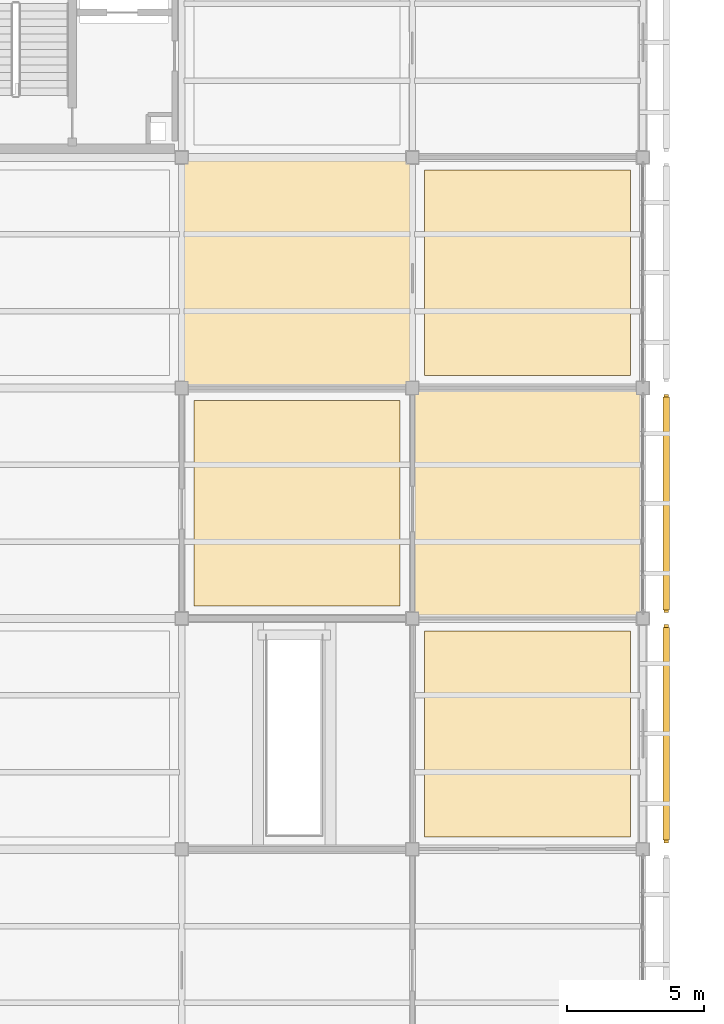
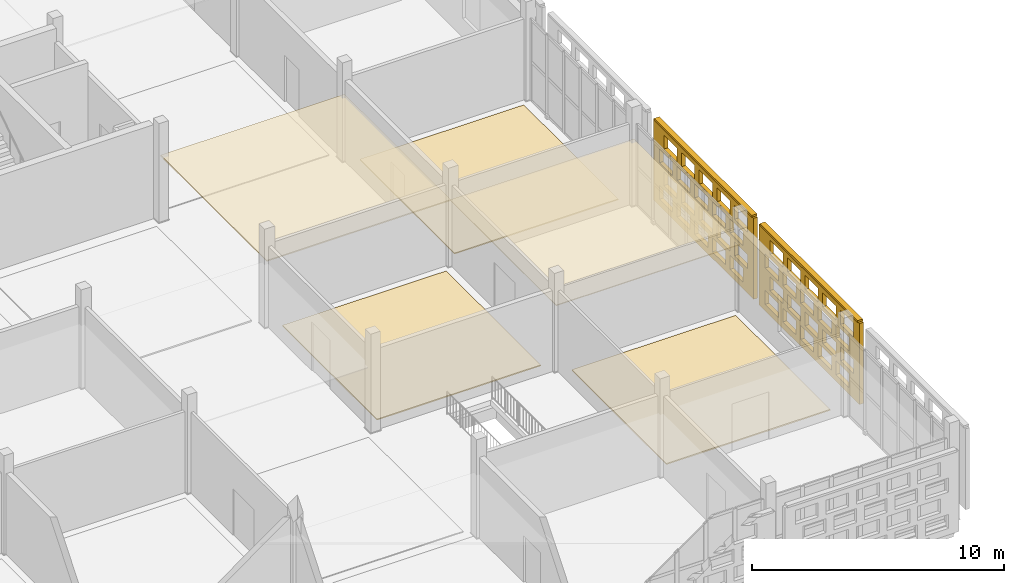
# One storey, part 198 of 203: 7 coverings, 2 shading devices, 40 openings.
"""IFC4 building model written with IfcOpenShell, lengths in metres."""

import ifcopenshell
import ifcopenshell.guid

model = None  # the IFC model being written
_history = None  # IfcOwnerHistory: only IFC2X3 demands one
_inside = {}  # id of a spatial element -> (the spatial element, [elements in it])
_under = {}  # id of a project, library or spatial element -> (it, [spatial elements below it])
_declared = {}  # id of a project -> (the project, [libraries it declares])
_typed = {}  # id of a type object -> (the type object, [elements of that type])
_made_of = {}  # id of a material, layer set ... -> (it, [elements and type objects made of it])


def new_model(schema):
    """Start an empty IFC model of exactly this schema.

    Asked for "IFC4X3", IfcOpenShell would pick the latest addendum, in which some entities
    have other attributes; the version numbers below select the first issue.
    IFC2X3 requires an IfcOwnerHistory on every rooted entity: one is made here for all.
    """
    global model, _history
    if schema == "IFC4X3":
        model = ifcopenshell.file(schema_version=(4, 3, 0, 0))
    else:
        model = ifcopenshell.file(schema=schema)
    _inside.clear()
    _under.clear()
    _declared.clear()
    _typed.clear()
    _made_of.clear()
    _history = None
    if model.schema == "IFC2X3":
        org = make("IfcOrganization", Name="unknown")
        user = make(
            "IfcPersonAndOrganization",
            ThePerson=make("IfcPerson", FamilyName="unknown"),
            TheOrganization=org,
        )
        app = make(
            "IfcApplication",
            ApplicationDeveloper=org,
            Version="unknown",
            ApplicationFullName="unknown",
            ApplicationIdentifier="unknown",
        )
        _history = make(
            "IfcOwnerHistory",
            OwningUser=user,
            OwningApplication=app,
            ChangeAction="ADDED",
            CreationDate=0,
        )
    return model


def make(cls, **values):
    """One entity of the class cls with the attributes given. An attribute that is None is left unset."""
    return model.create_entity(
        cls, **{name: value for name, value in values.items() if value is not None}
    )


def rooted(cls, **values):
    """An entity with a GlobalId (a new one), such as an element, a storey or a relation."""
    return make(cls, GlobalId=ifcopenshell.guid.new(), OwnerHistory=_history, **values)


def si_unit(unit_type, name, prefix=None):
    """IfcSIUnit, for example si_unit("LENGTHUNIT", "METRE", prefix="MILLI")."""
    return make("IfcSIUnit", UnitType=unit_type, Prefix=prefix, Name=name)


def assignment(units):
    """IfcUnitAssignment: the units of a project."""
    return None if units is None else make("IfcUnitAssignment", Units=units)


def point(xyz):
    """IfcCartesianPoint."""
    return None if xyz is None else make("IfcCartesianPoint", Coordinates=xyz)


def direction(xyz):
    """IfcDirection."""
    return None if xyz is None else make("IfcDirection", DirectionRatios=xyz)


def frame(location, z_axis=None, x_axis=None):
    """IfcAxis2Placement3D, a coordinate frame: its origin and axes. An axis left out is left unset."""
    return make(
        "IfcAxis2Placement3D",
        Location=point(location),
        Axis=direction(z_axis),
        RefDirection=direction(x_axis),
    )


def frame_2d(location, x_axis=None):
    """IfcAxis2Placement2D, a coordinate frame in the plane: its origin and x axis."""
    return make(
        "IfcAxis2Placement2D", Location=point(location), RefDirection=direction(x_axis)
    )


def origin():
    """The frame at (0, 0, 0) with its axes left unset."""
    return frame((0.0, 0.0, 0.0))


def origin_2d():
    """The frame at (0, 0) in the plane with its x axis left unset."""
    return frame_2d((0.0, 0.0))


def place(relative_to, where):
    """IfcLocalPlacement: puts the frame where relative to a parent placement (None: the world)."""
    return make(
        "IfcLocalPlacement", PlacementRelTo=relative_to, RelativePlacement=where
    )


def context(
    kind, dimensions, precision=None, world=None, true_north=None, identifier=None
):
    """IfcGeometricRepresentationContext, for example the 3D "Model" context."""
    return make(
        "IfcGeometricRepresentationContext",
        ContextIdentifier=identifier,
        ContextType=kind,
        CoordinateSpaceDimension=dimensions,
        Precision=precision,
        WorldCoordinateSystem=world,
        TrueNorth=true_north,
    )


def subcontext(parent, identifier, kind, view, scale=None):
    """IfcGeometricRepresentationSubContext, for example "Body" below "Model"."""
    return make(
        "IfcGeometricRepresentationSubContext",
        ContextIdentifier=identifier,
        ContextType=kind,
        ParentContext=parent,
        TargetScale=scale,
        TargetView=view,
    )


def project(units=None, contexts=None):
    """IfcProject with its units and contexts."""
    return rooted(
        "IfcProject",
        Name="project",
        RepresentationContexts=contexts,
        UnitsInContext=assignment(units),
    )


def spatial(cls, under=None, at=None, **own):
    """A site, building, storey or space (cls), placed at a placement, below another one or the project."""
    s = rooted(cls, ObjectPlacement=at, **own)
    if under is not None:
        _under.setdefault(under.id(), (under, []))[1].append(s)
    return s


def profile(cls, at=None, kind="AREA", **sizes):
    """A parametric profile (cls). Its sizes go by their IFC names, for example OverallWidth=200.0."""
    return make(cls, ProfileType=kind, Position=at, **sizes)


def rectangle(**sizes):
    """IfcRectangleProfileDef."""
    return profile("IfcRectangleProfileDef", **sizes)


def extrude(swept, where, along, depth):
    """IfcExtrudedAreaSolid: the profile swept, set in the frame where, extruded along a direction by depth."""
    return make(
        "IfcExtrudedAreaSolid",
        SweptArea=swept,
        Position=where,
        ExtrudedDirection=direction(along),
        Depth=depth,
    )


def shape(context_of_items, identifier, shape_type, items):
    """IfcShapeRepresentation: the items that make up one representation, for example the "Body"."""
    return make(
        "IfcShapeRepresentation",
        ContextOfItems=context_of_items,
        RepresentationIdentifier=identifier,
        RepresentationType=shape_type,
        Items=items,
    )


def material(Name=None, Category=None):
    """IfcMaterial."""
    return make("IfcMaterial", Name=Name, Category=Category)


def layer(
    of_material, thickness, ventilated=None, Name=None, Category=None, Priority=None
):
    """IfcMaterialLayer: one layer of a wall or slab, of a material (None: an air gap)."""
    return make(
        "IfcMaterialLayer",
        Material=of_material,
        LayerThickness=thickness,
        IsVentilated=ventilated,
        Name=Name,
        Category=Category,
        Priority=Priority,
    )


def layer_set(layers, Name=None):
    """IfcMaterialLayerSet."""
    return make("IfcMaterialLayerSet", MaterialLayers=layers, LayerSetName=Name)


def made_of(thing, what):
    """Note that an element or type object is made of a material, layer set ...; save() writes the relation."""
    if what is not None:
        _made_of.setdefault(what.id(), (what, []))[1].append(thing)
    return thing


def type_object(cls, material=None, **own):
    """A type object (cls), such as IfcWallType, which elements share."""
    return made_of(rooted(cls, **own), material)


def element(
    cls,
    number,
    at=None,
    inside=None,
    cuts=None,
    type_object=None,
    material=None,
    context=None,
    identifier="Body",
    shape_type=None,
    held_by="IfcProductDefinitionShape",
    body=None,
    shapes=None,
    **own,
):
    """One element of the class cls, such as IfcWall. Its Tag is "e" and its number.

    at: its placement. inside: the storey or other place that contains it. cuts: it is an
    opening in that element (IfcRelVoidsElement). A single representation is given by context,
    identifier, shape_type and body (its items); several are given by shapes. held_by: the class
    of the entity that holds the representations. save() writes the other relations.
    """
    e = rooted(cls, Tag="e%d" % number, ObjectPlacement=at, **own)
    if body is not None:
        shapes = [shape(context, identifier, shape_type, body)]
    if shapes is not None:
        e.Representation = make(held_by, Representations=shapes)
    if inside is not None:
        _inside.setdefault(inside.id(), (inside, []))[1].append(e)
    if cuts is not None:
        rooted(
            "IfcRelVoidsElement", RelatingBuildingElement=cuts, RelatedOpeningElement=e
        )
    if type_object is not None:
        _typed.setdefault(type_object.id(), (type_object, []))[1].append(e)
    return made_of(e, material)


def aggregate(whole, parts):
    """IfcRelAggregates: a whole, such as a stair, and the parts it consists of."""
    return rooted("IfcRelAggregates", RelatingObject=whole, RelatedObjects=parts)


def save(model, path):
    """Write the relations noted so far, then the file.

    IfcRelAggregates (storeys below a building ...), IfcRelContainedInSpatialStructure (elements
    in a storey), IfcRelDefinesByType, IfcRelAssociatesMaterial and IfcRelDeclares: one each for
    every whole, place, type object, material and project.
    """
    for whole, parts in _under.values():
        aggregate(whole, parts)
    for where, things in _inside.values():
        rooted(
            "IfcRelContainedInSpatialStructure",
            RelatedElements=things,
            RelatingStructure=where,
        )
    for kind, things in _typed.values():
        rooted("IfcRelDefinesByType", RelatedObjects=things, RelatingType=kind)
    for what, things in _made_of.values():
        rooted("IfcRelAssociatesMaterial", RelatedObjects=things, RelatingMaterial=what)
    for by, libraries in _declared.values():
        rooted("IfcRelDeclares", RelatingContext=by, RelatedDefinitions=libraries)
    model.write(path)


model = new_model("IFC4")

# Units and contexts
model_context = context("Model", 3, precision=1e-05, world=origin(), true_north=direction((0.0, 1.0)))
body_context = subcontext(model_context, "Body", "Model", "MODEL_VIEW")
ifc_project = project(units=[si_unit("LENGTHUNIT", "METRE"), si_unit("AREAUNIT", "SQUARE_METRE"), si_unit("VOLUMEUNIT", "CUBIC_METRE"), si_unit("PLANEANGLEUNIT", "RADIAN"), si_unit("MASSUNIT", "GRAM", prefix="KILO")], contexts=[model_context])

# Site, building, storey
site_placement = place(None, origin())
site = spatial("IfcSite", under=ifc_project, at=site_placement, CompositionType="ELEMENT")
building_placement = place(site_placement, origin())
building = spatial("IfcBuilding", under=site, at=building_placement, Name="Varnapada Polytechnic", CompositionType="ELEMENT")
storey_placement = place(building_placement, frame((0.0, 0.0, 4.800048828125)))
storey = spatial("IfcBuildingStorey", under=building, at=storey_placement, Name="L01", CompositionType="ELEMENT", Elevation=4.800048828125)

# Coverings
ifc_material_1 = material(Name="Anti-Static Raised Laboratory Flooring")
ifc_layer_1 = layer(ifc_material_1, 0.06005859375)
ifc_layer_set_1 = layer_set([ifc_layer_1], Name="Anti-Static Raised Laboratory Flooring")
covering_type_1 = type_object("IfcCoveringType", Name="Floor Finish FLR-02", PredefinedType="FLOORING", material=ifc_layer_set_1)
covering_1_placement = place(storey_placement, frame((172.199951171875, 71.39990234375, 0.0), z_axis=(0.0, 0.0, 1.0), x_axis=(1.0, 0.0, 0.0)))
element("IfcCovering", 1, at=covering_1_placement, inside=storey, type_object=covering_type_1, Name="L01 floor finish panel (21,9)", PredefinedType="FLOORING", context=body_context, shape_type="SweptSolid", body=[
    extrude(rectangle(XDim=7.5, YDim=7.5, at=origin_2d()), origin(), (0.0, 0.0, 1.0), 0.06005859375),
])
ifc_material_2 = material(Name="End-Grain Timber Studio Block Flooring", Category="wood")
ifc_layer_2 = layer(ifc_material_2, 0.054931640625)
ifc_layer_set_2 = layer_set([ifc_layer_2], Name="End-Grain Timber Studio Block Flooring")
covering_type_2 = type_object("IfcCoveringType", Name="Floor Finish FLR-04", PredefinedType="FLOORING", material=ifc_layer_set_2)
for number, where, z_axis, x_axis, name in (
    (2, (163.800048828125, 79.800048828125, 0.0), (0.0, 0.0, 1.0), (1.0, 0.0, 0.0), "L01 floor finish panel (20,10)"),
    (3, (172.199951171875, 88.199951171875, 0.0), (0.0, 0.0, 1.0), (1.0, 0.0, 0.0), "L01 floor finish panel (21,11)"),
):
    element("IfcCovering", number, at=place(storey_placement, frame(where, z_axis=z_axis, x_axis=x_axis)), inside=storey, type_object=covering_type_2, Name=name, PredefinedType="FLOORING", context=body_context, shape_type="SweptSolid", body=[
        extrude(rectangle(XDim=7.5, YDim=7.5, at=origin_2d()), origin(), (0.0, 0.0, 1.0), 0.054931640625),
    ])
ifc_material_3 = material(Name="Mineral Fibre Acoustic Ceiling Tile")
ifc_layer_3 = layer(ifc_material_3, 0.0400390625)
ifc_layer_set_3 = layer_set([ifc_layer_3], Name="Mineral Fibre Acoustic Ceiling Tile")
covering_type_3 = type_object("IfcCoveringType", Name="Suspended Ceiling CLG-01", PredefinedType="CEILING", material=ifc_layer_set_3)
covering_2_placement = place(storey_placement, frame((172.199951171875, 79.800048828125, 3.030029296875), z_axis=(0.0, 0.0, 1.0), x_axis=(1.0, 0.0, 0.0)))
element("IfcCovering", 4, at=covering_2_placement, inside=storey, type_object=covering_type_3, Name="L01 suspended acoustic ceiling (21,10)", PredefinedType="CEILING", context=body_context, shape_type="SweptSolid", body=[
    extrude(rectangle(XDim=8.419921875, YDim=8.419921875, at=origin_2d()), origin(), (0.0, 0.0, 1.0), 0.0400390625),
])
ifc_material_4 = material(Name="Slatted Merbau Timber Acoustic Ceiling", Category="wood")
ifc_layer_4 = layer(ifc_material_4, 0.054931640625)
ifc_layer_set_4 = layer_set([ifc_layer_4], Name="Slatted Merbau Timber Acoustic Ceiling")
covering_type_4 = type_object("IfcCoveringType", Name="Suspended Ceiling CLG-05", PredefinedType="CEILING", material=ifc_layer_set_4)
covering_3_placement = place(storey_placement, frame((163.800048828125, 88.199951171875, 3.0224609375), z_axis=(0.0, 0.0, 1.0), x_axis=(1.0, 0.0, 0.0)))
element("IfcCovering", 5, at=covering_3_placement, inside=storey, type_object=covering_type_4, Name="L01 suspended acoustic ceiling (20,11)", PredefinedType="CEILING", context=body_context, shape_type="SweptSolid", body=[
    extrude(rectangle(XDim=8.419921875, YDim=8.419921875, at=origin_2d()), origin(), (0.0, 0.0, 1.0), 0.054931640625),
])

# Covering, openings
ifc_material_5 = material(Name="Earth-toned architectural terracotta screen block", Category="masonry")
ifc_layer_5 = layer(ifc_material_5, 0.1201171875)
ifc_layer_set_5 = layer_set([ifc_layer_5], Name="Earth-toned architectural terracotta screen block")
covering_type_5 = type_object("IfcCoveringType", Name="Terracotta Screen Cladding CLD-01", PredefinedType="CLADDING", material=ifc_layer_set_5)
covering_4_placement = place(storey_placement, frame((177.25, 75.3798828125, 0.0), z_axis=(0.0, 0.0, 1.0), x_axis=(0.0, -1.0, 0.0)))
covering_4 = element("IfcCovering", 6, at=covering_4_placement, inside=storey, type_object=covering_type_5, Name="L01 perforated terracotta block screen (146)", PredefinedType="CLADDING", context=body_context, shape_type="SweptSolid", body=[
    extrude(rectangle(XDim=7.949951171875, YDim=0.179931640625, at=frame_2d((3.97509765625, 0.0))), origin(), (0.0, 0.0, 1.0), 3.919921875),
])
opening_1_placement = place(covering_4_placement, frame((0.47509765625, 0.0, 0.313720703125)))
element("IfcOpeningElement", 7, at=opening_1_placement, cuts=covering_4, Name="Screen perforation TBS-L01-145.1", PredefinedType="OPENING", context=body_context, shape_type="SweptSolid", body=[
    extrude(rectangle(XDim=1.0400390625, YDim=0.679931640625, at=frame_2d((0.52001953125, 0.33984375))), frame((0.0, 0.099853515625, 0.0), z_axis=(0.0, -1.0, 0.0), x_axis=(1.0, 0.0, 0.0)), (0.0, 0.0, 1.0), 0.199951171875),
])
opening_2_placement = place(covering_4_placement, frame((1.875, 0.0, 0.313720703125)))
element("IfcOpeningElement", 8, at=opening_2_placement, cuts=covering_4, Name="Screen perforation TBS-L01-145.2", PredefinedType="OPENING", context=body_context, shape_type="SweptSolid", body=[
    extrude(rectangle(XDim=1.0400390625, YDim=0.679931640625, at=frame_2d((0.52001953125, 0.33984375))), frame((0.0, 0.099853515625, 0.0), z_axis=(0.0, -1.0, 0.0), x_axis=(1.0, 0.0, 0.0)), (0.0, 0.0, 1.0), 0.199951171875),
])
opening_3_placement = place(covering_4_placement, frame((3.27490234375, 0.0, 0.313720703125)))
element("IfcOpeningElement", 9, at=opening_3_placement, cuts=covering_4, Name="Screen perforation TBS-L01-145.3", PredefinedType="OPENING", context=body_context, shape_type="SweptSolid", body=[
    extrude(rectangle(XDim=1.0400390625, YDim=0.679931640625, at=frame_2d((0.52001953125, 0.33984375))), frame((0.0, 0.099853515625, 0.0), z_axis=(0.0, -1.0, 0.0), x_axis=(1.0, 0.0, 0.0)), (0.0, 0.0, 1.0), 0.199951171875),
])
opening_4_placement = place(covering_4_placement, frame((4.675048828125, 0.0, 0.313720703125)))
element("IfcOpeningElement", 10, at=opening_4_placement, cuts=covering_4, Name="Screen perforation TBS-L01-145.4", PredefinedType="OPENING", context=body_context, shape_type="SweptSolid", body=[
    extrude(rectangle(XDim=1.0400390625, YDim=0.679931640625, at=frame_2d((0.52001953125, 0.33984375))), frame((0.0, 0.099853515625, 0.0), z_axis=(0.0, -1.0, 0.0), x_axis=(1.0, 0.0, 0.0)), (0.0, 0.0, 1.0), 0.199951171875),
])
opening_5_placement = place(covering_4_placement, frame((6.074951171875, 0.0, 0.313720703125)))
element("IfcOpeningElement", 11, at=opening_5_placement, cuts=covering_4, Name="Screen perforation TBS-L01-145.5", PredefinedType="OPENING", context=body_context, shape_type="SweptSolid", body=[
    extrude(rectangle(XDim=1.0400390625, YDim=0.679931640625, at=frame_2d((0.52001953125, 0.33984375))), frame((0.0, 0.099853515625, 0.0), z_axis=(0.0, -1.0, 0.0), x_axis=(1.0, 0.0, 0.0)), (0.0, 0.0, 1.0), 0.199951171875),
])
opening_6_placement = place(covering_4_placement, frame((0.8349609375, 0.0, 1.195556640625)))
element("IfcOpeningElement", 12, at=opening_6_placement, cuts=covering_4, Name="Screen perforation TBS-L01-145.6", PredefinedType="OPENING", context=body_context, shape_type="SweptSolid", body=[
    extrude(rectangle(XDim=1.0400390625, YDim=0.679931640625, at=frame_2d((0.52001953125, 0.33984375))), frame((0.0, 0.099853515625, 0.0), z_axis=(0.0, -1.0, 0.0), x_axis=(1.0, 0.0, 0.0)), (0.0, 0.0, 1.0), 0.199951171875),
])
opening_7_placement = place(covering_4_placement, frame((2.235107421875, 0.0, 1.195556640625)))
element("IfcOpeningElement", 13, at=opening_7_placement, cuts=covering_4, Name="Screen perforation TBS-L01-145.7", PredefinedType="OPENING", context=body_context, shape_type="SweptSolid", body=[
    extrude(rectangle(XDim=1.0400390625, YDim=0.679931640625, at=frame_2d((0.52001953125, 0.33984375))), frame((0.0, 0.099853515625, 0.0), z_axis=(0.0, -1.0, 0.0), x_axis=(1.0, 0.0, 0.0)), (0.0, 0.0, 1.0), 0.199951171875),
])
opening_8_placement = place(covering_4_placement, frame((3.635009765625, 0.0, 1.195556640625)))
element("IfcOpeningElement", 14, at=opening_8_placement, cuts=covering_4, Name="Screen perforation TBS-L01-145.8", PredefinedType="OPENING", context=body_context, shape_type="SweptSolid", body=[
    extrude(rectangle(XDim=1.0400390625, YDim=0.679931640625, at=frame_2d((0.52001953125, 0.33984375))), frame((0.0, 0.099853515625, 0.0), z_axis=(0.0, -1.0, 0.0), x_axis=(1.0, 0.0, 0.0)), (0.0, 0.0, 1.0), 0.199951171875),
])
opening_9_placement = place(covering_4_placement, frame((5.034912109375, 0.0, 1.195556640625)))
element("IfcOpeningElement", 15, at=opening_9_placement, cuts=covering_4, Name="Screen perforation TBS-L01-145.9", PredefinedType="OPENING", context=body_context, shape_type="SweptSolid", body=[
    extrude(rectangle(XDim=1.0400390625, YDim=0.679931640625, at=frame_2d((0.52001953125, 0.33984375))), frame((0.0, 0.099853515625, 0.0), z_axis=(0.0, -1.0, 0.0), x_axis=(1.0, 0.0, 0.0)), (0.0, 0.0, 1.0), 0.199951171875),
])
opening_10_placement = place(covering_4_placement, frame((6.43505859375, 0.0, 1.195556640625)))
element("IfcOpeningElement", 16, at=opening_10_placement, cuts=covering_4, Name="Screen perforation TBS-L01-145.10", PredefinedType="OPENING", context=body_context, shape_type="SweptSolid", body=[
    extrude(rectangle(XDim=1.0400390625, YDim=0.679931640625, at=frame_2d((0.52001953125, 0.33984375))), frame((0.0, 0.099853515625, 0.0), z_axis=(0.0, -1.0, 0.0), x_axis=(1.0, 0.0, 0.0)), (0.0, 0.0, 1.0), 0.199951171875),
])
opening_11_placement = place(covering_4_placement, frame((0.47509765625, 0.0, 2.07763671875)))
element("IfcOpeningElement", 17, at=opening_11_placement, cuts=covering_4, Name="Screen perforation TBS-L01-145.11", PredefinedType="OPENING", context=body_context, shape_type="SweptSolid", body=[
    extrude(rectangle(XDim=1.0400390625, YDim=0.679931640625, at=frame_2d((0.52001953125, 0.33984375))), frame((0.0, 0.099853515625, 0.0), z_axis=(0.0, -1.0, 0.0), x_axis=(1.0, 0.0, 0.0)), (0.0, 0.0, 1.0), 0.199951171875),
])
opening_12_placement = place(covering_4_placement, frame((1.875, 0.0, 2.07763671875)))
element("IfcOpeningElement", 18, at=opening_12_placement, cuts=covering_4, Name="Screen perforation TBS-L01-145.12", PredefinedType="OPENING", context=body_context, shape_type="SweptSolid", body=[
    extrude(rectangle(XDim=1.0400390625, YDim=0.679931640625, at=frame_2d((0.52001953125, 0.33984375))), frame((0.0, 0.099853515625, 0.0), z_axis=(0.0, -1.0, 0.0), x_axis=(1.0, 0.0, 0.0)), (0.0, 0.0, 1.0), 0.199951171875),
])
opening_13_placement = place(covering_4_placement, frame((3.27490234375, 0.0, 2.07763671875)))
element("IfcOpeningElement", 19, at=opening_13_placement, cuts=covering_4, Name="Screen perforation TBS-L01-145.13", PredefinedType="OPENING", context=body_context, shape_type="SweptSolid", body=[
    extrude(rectangle(XDim=1.0400390625, YDim=0.679931640625, at=frame_2d((0.52001953125, 0.33984375))), frame((0.0, 0.099853515625, 0.0), z_axis=(0.0, -1.0, 0.0), x_axis=(1.0, 0.0, 0.0)), (0.0, 0.0, 1.0), 0.199951171875),
])
opening_14_placement = place(covering_4_placement, frame((4.675048828125, 0.0, 2.07763671875)))
element("IfcOpeningElement", 20, at=opening_14_placement, cuts=covering_4, Name="Screen perforation TBS-L01-145.14", PredefinedType="OPENING", context=body_context, shape_type="SweptSolid", body=[
    extrude(rectangle(XDim=1.0400390625, YDim=0.679931640625, at=frame_2d((0.52001953125, 0.33984375))), frame((0.0, 0.099853515625, 0.0), z_axis=(0.0, -1.0, 0.0), x_axis=(1.0, 0.0, 0.0)), (0.0, 0.0, 1.0), 0.199951171875),
])
opening_15_placement = place(covering_4_placement, frame((6.074951171875, 0.0, 2.07763671875)))
element("IfcOpeningElement", 21, at=opening_15_placement, cuts=covering_4, Name="Screen perforation TBS-L01-145.15", PredefinedType="OPENING", context=body_context, shape_type="SweptSolid", body=[
    extrude(rectangle(XDim=1.0400390625, YDim=0.679931640625, at=frame_2d((0.52001953125, 0.33984375))), frame((0.0, 0.099853515625, 0.0), z_axis=(0.0, -1.0, 0.0), x_axis=(1.0, 0.0, 0.0)), (0.0, 0.0, 1.0), 0.199951171875),
])
opening_16_placement = place(covering_4_placement, frame((0.8349609375, 0.0, 2.959716796875)))
element("IfcOpeningElement", 22, at=opening_16_placement, cuts=covering_4, Name="Screen perforation TBS-L01-145.16", PredefinedType="OPENING", context=body_context, shape_type="SweptSolid", body=[
    extrude(rectangle(XDim=1.0400390625, YDim=0.679931640625, at=frame_2d((0.52001953125, 0.33984375))), frame((0.0, 0.099853515625, 0.0), z_axis=(0.0, -1.0, 0.0), x_axis=(1.0, 0.0, 0.0)), (0.0, 0.0, 1.0), 0.199951171875),
])
opening_17_placement = place(covering_4_placement, frame((2.235107421875, 0.0, 2.959716796875)))
element("IfcOpeningElement", 23, at=opening_17_placement, cuts=covering_4, Name="Screen perforation TBS-L01-145.17", PredefinedType="OPENING", context=body_context, shape_type="SweptSolid", body=[
    extrude(rectangle(XDim=1.0400390625, YDim=0.679931640625, at=frame_2d((0.52001953125, 0.33984375))), frame((0.0, 0.099853515625, 0.0), z_axis=(0.0, -1.0, 0.0), x_axis=(1.0, 0.0, 0.0)), (0.0, 0.0, 1.0), 0.199951171875),
])
opening_18_placement = place(covering_4_placement, frame((3.635009765625, 0.0, 2.959716796875)))
element("IfcOpeningElement", 24, at=opening_18_placement, cuts=covering_4, Name="Screen perforation TBS-L01-145.18", PredefinedType="OPENING", context=body_context, shape_type="SweptSolid", body=[
    extrude(rectangle(XDim=1.0400390625, YDim=0.679931640625, at=frame_2d((0.52001953125, 0.33984375))), frame((0.0, 0.099853515625, 0.0), z_axis=(0.0, -1.0, 0.0), x_axis=(1.0, 0.0, 0.0)), (0.0, 0.0, 1.0), 0.199951171875),
])
opening_19_placement = place(covering_4_placement, frame((5.034912109375, 0.0, 2.959716796875)))
element("IfcOpeningElement", 25, at=opening_19_placement, cuts=covering_4, Name="Screen perforation TBS-L01-145.19", PredefinedType="OPENING", context=body_context, shape_type="SweptSolid", body=[
    extrude(rectangle(XDim=1.0400390625, YDim=0.679931640625, at=frame_2d((0.52001953125, 0.33984375))), frame((0.0, 0.099853515625, 0.0), z_axis=(0.0, -1.0, 0.0), x_axis=(1.0, 0.0, 0.0)), (0.0, 0.0, 1.0), 0.199951171875),
])
opening_20_placement = place(covering_4_placement, frame((6.43505859375, 0.0, 2.959716796875)))
element("IfcOpeningElement", 26, at=opening_20_placement, cuts=covering_4, Name="Screen perforation TBS-L01-145.20", PredefinedType="OPENING", context=body_context, shape_type="SweptSolid", body=[
    extrude(rectangle(XDim=1.0400390625, YDim=0.679931640625, at=frame_2d((0.52001953125, 0.33984375))), frame((0.0, 0.099853515625, 0.0), z_axis=(0.0, -1.0, 0.0), x_axis=(1.0, 0.0, 0.0)), (0.0, 0.0, 1.0), 0.199951171875),
])

covering_5_placement = place(storey_placement, frame((177.25, 83.77001953125, 0.0), z_axis=(0.0, 0.0, 1.0), x_axis=(0.0, -1.0, 0.0)))
covering_5 = element("IfcCovering", 27, at=covering_5_placement, inside=storey, type_object=covering_type_5, Name="L01 perforated terracotta block screen (147)", PredefinedType="CLADDING", context=body_context, shape_type="SweptSolid", body=[
    extrude(rectangle(XDim=7.949951171875, YDim=0.179931640625, at=frame_2d((3.97509765625, 0.0))), origin(), (0.0, 0.0, 1.0), 3.919921875),
])
opening_21_placement = place(covering_5_placement, frame((0.47509765625, 0.0, 0.313720703125)))
element("IfcOpeningElement", 28, at=opening_21_placement, cuts=covering_5, Name="Screen perforation TBS-L01-146.1", PredefinedType="OPENING", context=body_context, shape_type="SweptSolid", body=[
    extrude(rectangle(XDim=1.0400390625, YDim=0.679931640625, at=frame_2d((0.52001953125, 0.33984375))), frame((0.0, 0.099853515625, 0.0), z_axis=(0.0, -1.0, 0.0), x_axis=(1.0, 0.0, 0.0)), (0.0, 0.0, 1.0), 0.199951171875),
])
opening_22_placement = place(covering_5_placement, frame((1.875, 0.0, 0.313720703125)))
element("IfcOpeningElement", 29, at=opening_22_placement, cuts=covering_5, Name="Screen perforation TBS-L01-146.2", PredefinedType="OPENING", context=body_context, shape_type="SweptSolid", body=[
    extrude(rectangle(XDim=1.0400390625, YDim=0.679931640625, at=frame_2d((0.52001953125, 0.33984375))), frame((0.0, 0.099853515625, 0.0), z_axis=(0.0, -1.0, 0.0), x_axis=(1.0, 0.0, 0.0)), (0.0, 0.0, 1.0), 0.199951171875),
])
opening_23_placement = place(covering_5_placement, frame((3.27490234375, 0.0, 0.313720703125)))
element("IfcOpeningElement", 30, at=opening_23_placement, cuts=covering_5, Name="Screen perforation TBS-L01-146.3", PredefinedType="OPENING", context=body_context, shape_type="SweptSolid", body=[
    extrude(rectangle(XDim=1.0400390625, YDim=0.679931640625, at=frame_2d((0.52001953125, 0.33984375))), frame((0.0, 0.099853515625, 0.0), z_axis=(0.0, -1.0, 0.0), x_axis=(1.0, 0.0, 0.0)), (0.0, 0.0, 1.0), 0.199951171875),
])
opening_24_placement = place(covering_5_placement, frame((4.675048828125, 0.0, 0.313720703125)))
element("IfcOpeningElement", 31, at=opening_24_placement, cuts=covering_5, Name="Screen perforation TBS-L01-146.4", PredefinedType="OPENING", context=body_context, shape_type="SweptSolid", body=[
    extrude(rectangle(XDim=1.0400390625, YDim=0.679931640625, at=frame_2d((0.52001953125, 0.33984375))), frame((0.0, 0.099853515625, 0.0), z_axis=(0.0, -1.0, 0.0), x_axis=(1.0, 0.0, 0.0)), (0.0, 0.0, 1.0), 0.199951171875),
])
opening_25_placement = place(covering_5_placement, frame((6.074951171875, 0.0, 0.313720703125)))
element("IfcOpeningElement", 32, at=opening_25_placement, cuts=covering_5, Name="Screen perforation TBS-L01-146.5", PredefinedType="OPENING", context=body_context, shape_type="SweptSolid", body=[
    extrude(rectangle(XDim=1.0400390625, YDim=0.679931640625, at=frame_2d((0.52001953125, 0.33984375))), frame((0.0, 0.099853515625, 0.0), z_axis=(0.0, -1.0, 0.0), x_axis=(1.0, 0.0, 0.0)), (0.0, 0.0, 1.0), 0.199951171875),
])
opening_26_placement = place(covering_5_placement, frame((0.8349609375, 0.0, 1.195556640625)))
element("IfcOpeningElement", 33, at=opening_26_placement, cuts=covering_5, Name="Screen perforation TBS-L01-146.6", PredefinedType="OPENING", context=body_context, shape_type="SweptSolid", body=[
    extrude(rectangle(XDim=1.0400390625, YDim=0.679931640625, at=frame_2d((0.52001953125, 0.33984375))), frame((0.0, 0.099853515625, 0.0), z_axis=(0.0, -1.0, 0.0), x_axis=(1.0, 0.0, 0.0)), (0.0, 0.0, 1.0), 0.199951171875),
])
opening_27_placement = place(covering_5_placement, frame((2.235107421875, 0.0, 1.195556640625)))
element("IfcOpeningElement", 34, at=opening_27_placement, cuts=covering_5, Name="Screen perforation TBS-L01-146.7", PredefinedType="OPENING", context=body_context, shape_type="SweptSolid", body=[
    extrude(rectangle(XDim=1.0400390625, YDim=0.679931640625, at=frame_2d((0.52001953125, 0.33984375))), frame((0.0, 0.099853515625, 0.0), z_axis=(0.0, -1.0, 0.0), x_axis=(1.0, 0.0, 0.0)), (0.0, 0.0, 1.0), 0.199951171875),
])
opening_28_placement = place(covering_5_placement, frame((3.635009765625, 0.0, 1.195556640625)))
element("IfcOpeningElement", 35, at=opening_28_placement, cuts=covering_5, Name="Screen perforation TBS-L01-146.8", PredefinedType="OPENING", context=body_context, shape_type="SweptSolid", body=[
    extrude(rectangle(XDim=1.0400390625, YDim=0.679931640625, at=frame_2d((0.52001953125, 0.33984375))), frame((0.0, 0.099853515625, 0.0), z_axis=(0.0, -1.0, 0.0), x_axis=(1.0, 0.0, 0.0)), (0.0, 0.0, 1.0), 0.199951171875),
])
opening_29_placement = place(covering_5_placement, frame((5.034912109375, 0.0, 1.195556640625)))
element("IfcOpeningElement", 36, at=opening_29_placement, cuts=covering_5, Name="Screen perforation TBS-L01-146.9", PredefinedType="OPENING", context=body_context, shape_type="SweptSolid", body=[
    extrude(rectangle(XDim=1.0400390625, YDim=0.679931640625, at=frame_2d((0.52001953125, 0.33984375))), frame((0.0, 0.099853515625, 0.0), z_axis=(0.0, -1.0, 0.0), x_axis=(1.0, 0.0, 0.0)), (0.0, 0.0, 1.0), 0.199951171875),
])
opening_30_placement = place(covering_5_placement, frame((6.43505859375, 0.0, 1.195556640625)))
element("IfcOpeningElement", 37, at=opening_30_placement, cuts=covering_5, Name="Screen perforation TBS-L01-146.10", PredefinedType="OPENING", context=body_context, shape_type="SweptSolid", body=[
    extrude(rectangle(XDim=1.0400390625, YDim=0.679931640625, at=frame_2d((0.52001953125, 0.33984375))), frame((0.0, 0.099853515625, 0.0), z_axis=(0.0, -1.0, 0.0), x_axis=(1.0, 0.0, 0.0)), (0.0, 0.0, 1.0), 0.199951171875),
])
opening_31_placement = place(covering_5_placement, frame((0.47509765625, 0.0, 2.07763671875)))
element("IfcOpeningElement", 38, at=opening_31_placement, cuts=covering_5, Name="Screen perforation TBS-L01-146.11", PredefinedType="OPENING", context=body_context, shape_type="SweptSolid", body=[
    extrude(rectangle(XDim=1.0400390625, YDim=0.679931640625, at=frame_2d((0.52001953125, 0.33984375))), frame((0.0, 0.099853515625, 0.0), z_axis=(0.0, -1.0, 0.0), x_axis=(1.0, 0.0, 0.0)), (0.0, 0.0, 1.0), 0.199951171875),
])
opening_32_placement = place(covering_5_placement, frame((1.875, 0.0, 2.07763671875)))
element("IfcOpeningElement", 39, at=opening_32_placement, cuts=covering_5, Name="Screen perforation TBS-L01-146.12", PredefinedType="OPENING", context=body_context, shape_type="SweptSolid", body=[
    extrude(rectangle(XDim=1.0400390625, YDim=0.679931640625, at=frame_2d((0.52001953125, 0.33984375))), frame((0.0, 0.099853515625, 0.0), z_axis=(0.0, -1.0, 0.0), x_axis=(1.0, 0.0, 0.0)), (0.0, 0.0, 1.0), 0.199951171875),
])
opening_33_placement = place(covering_5_placement, frame((3.27490234375, 0.0, 2.07763671875)))
element("IfcOpeningElement", 40, at=opening_33_placement, cuts=covering_5, Name="Screen perforation TBS-L01-146.13", PredefinedType="OPENING", context=body_context, shape_type="SweptSolid", body=[
    extrude(rectangle(XDim=1.0400390625, YDim=0.679931640625, at=frame_2d((0.52001953125, 0.33984375))), frame((0.0, 0.099853515625, 0.0), z_axis=(0.0, -1.0, 0.0), x_axis=(1.0, 0.0, 0.0)), (0.0, 0.0, 1.0), 0.199951171875),
])
opening_34_placement = place(covering_5_placement, frame((4.675048828125, 0.0, 2.07763671875)))
element("IfcOpeningElement", 41, at=opening_34_placement, cuts=covering_5, Name="Screen perforation TBS-L01-146.14", PredefinedType="OPENING", context=body_context, shape_type="SweptSolid", body=[
    extrude(rectangle(XDim=1.0400390625, YDim=0.679931640625, at=frame_2d((0.52001953125, 0.33984375))), frame((0.0, 0.099853515625, 0.0), z_axis=(0.0, -1.0, 0.0), x_axis=(1.0, 0.0, 0.0)), (0.0, 0.0, 1.0), 0.199951171875),
])
opening_35_placement = place(covering_5_placement, frame((6.074951171875, 0.0, 2.07763671875)))
element("IfcOpeningElement", 42, at=opening_35_placement, cuts=covering_5, Name="Screen perforation TBS-L01-146.15", PredefinedType="OPENING", context=body_context, shape_type="SweptSolid", body=[
    extrude(rectangle(XDim=1.0400390625, YDim=0.679931640625, at=frame_2d((0.52001953125, 0.33984375))), frame((0.0, 0.099853515625, 0.0), z_axis=(0.0, -1.0, 0.0), x_axis=(1.0, 0.0, 0.0)), (0.0, 0.0, 1.0), 0.199951171875),
])
opening_36_placement = place(covering_5_placement, frame((0.8349609375, 0.0, 2.959716796875)))
element("IfcOpeningElement", 43, at=opening_36_placement, cuts=covering_5, Name="Screen perforation TBS-L01-146.16", PredefinedType="OPENING", context=body_context, shape_type="SweptSolid", body=[
    extrude(rectangle(XDim=1.0400390625, YDim=0.679931640625, at=frame_2d((0.52001953125, 0.33984375))), frame((0.0, 0.099853515625, 0.0), z_axis=(0.0, -1.0, 0.0), x_axis=(1.0, 0.0, 0.0)), (0.0, 0.0, 1.0), 0.199951171875),
])
opening_37_placement = place(covering_5_placement, frame((2.235107421875, 0.0, 2.959716796875)))
element("IfcOpeningElement", 44, at=opening_37_placement, cuts=covering_5, Name="Screen perforation TBS-L01-146.17", PredefinedType="OPENING", context=body_context, shape_type="SweptSolid", body=[
    extrude(rectangle(XDim=1.0400390625, YDim=0.679931640625, at=frame_2d((0.52001953125, 0.33984375))), frame((0.0, 0.099853515625, 0.0), z_axis=(0.0, -1.0, 0.0), x_axis=(1.0, 0.0, 0.0)), (0.0, 0.0, 1.0), 0.199951171875),
])
opening_38_placement = place(covering_5_placement, frame((3.635009765625, 0.0, 2.959716796875)))
element("IfcOpeningElement", 45, at=opening_38_placement, cuts=covering_5, Name="Screen perforation TBS-L01-146.18", PredefinedType="OPENING", context=body_context, shape_type="SweptSolid", body=[
    extrude(rectangle(XDim=1.0400390625, YDim=0.679931640625, at=frame_2d((0.52001953125, 0.33984375))), frame((0.0, 0.099853515625, 0.0), z_axis=(0.0, -1.0, 0.0), x_axis=(1.0, 0.0, 0.0)), (0.0, 0.0, 1.0), 0.199951171875),
])
opening_39_placement = place(covering_5_placement, frame((5.034912109375, 0.0, 2.959716796875)))
element("IfcOpeningElement", 46, at=opening_39_placement, cuts=covering_5, Name="Screen perforation TBS-L01-146.19", PredefinedType="OPENING", context=body_context, shape_type="SweptSolid", body=[
    extrude(rectangle(XDim=1.0400390625, YDim=0.679931640625, at=frame_2d((0.52001953125, 0.33984375))), frame((0.0, 0.099853515625, 0.0), z_axis=(0.0, -1.0, 0.0), x_axis=(1.0, 0.0, 0.0)), (0.0, 0.0, 1.0), 0.199951171875),
])
opening_40_placement = place(covering_5_placement, frame((6.43505859375, 0.0, 2.959716796875)))
element("IfcOpeningElement", 47, at=opening_40_placement, cuts=covering_5, Name="Screen perforation TBS-L01-146.20", PredefinedType="OPENING", context=body_context, shape_type="SweptSolid", body=[
    extrude(rectangle(XDim=1.0400390625, YDim=0.679931640625, at=frame_2d((0.52001953125, 0.33984375))), frame((0.0, 0.099853515625, 0.0), z_axis=(0.0, -1.0, 0.0), x_axis=(1.0, 0.0, 0.0)), (0.0, 0.0, 1.0), 0.199951171875),
])

# Shading devices
ifc_layer_6 = layer(ifc_material_5, 0.179931640625)
ifc_layer_set_6 = layer_set([ifc_layer_6], Name="Earth-toned architectural terracotta screen block")
shading_device_type = type_object("IfcShadingDeviceType", Name="Terracotta Screen SCR-02", PredefinedType="USERDEFINED", material=ifc_layer_set_6)
for number, where, z_axis, x_axis, name in (
    (48, (177.25, 71.405029296875, 3.909912109375), (0.0, 0.0, 1.0), (0.0, -1.0, 0.0), "L01 perforated terracotta screen hood 224"),
    (49, (177.25, 79.794921875, 3.909912109375), (0.0, 0.0, 1.0), (0.0, -1.0, 0.0), "L01 perforated terracotta screen hood 225"),
):
    element("IfcShadingDevice", number, at=place(storey_placement, frame(where, z_axis=z_axis, x_axis=x_axis)), inside=storey, type_object=shading_device_type, Name=name, ObjectType="SCREEN", PredefinedType="USERDEFINED", context=body_context, shape_type="SweptSolid", body=[
        extrude(rectangle(XDim=7.75, YDim=0.239990234375, at=origin_2d()), origin(), (0.0, 0.0, 1.0), 0.10009765625),
    ])

save(model, "model.ifc")
